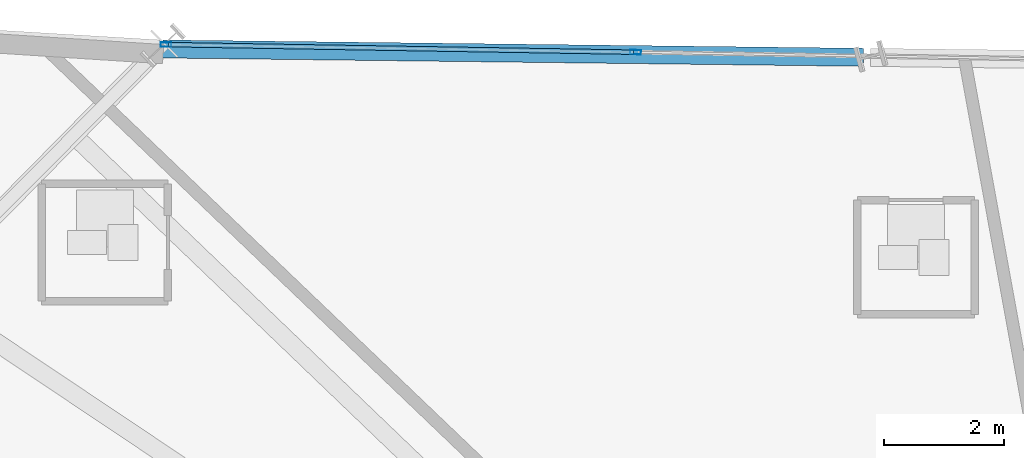
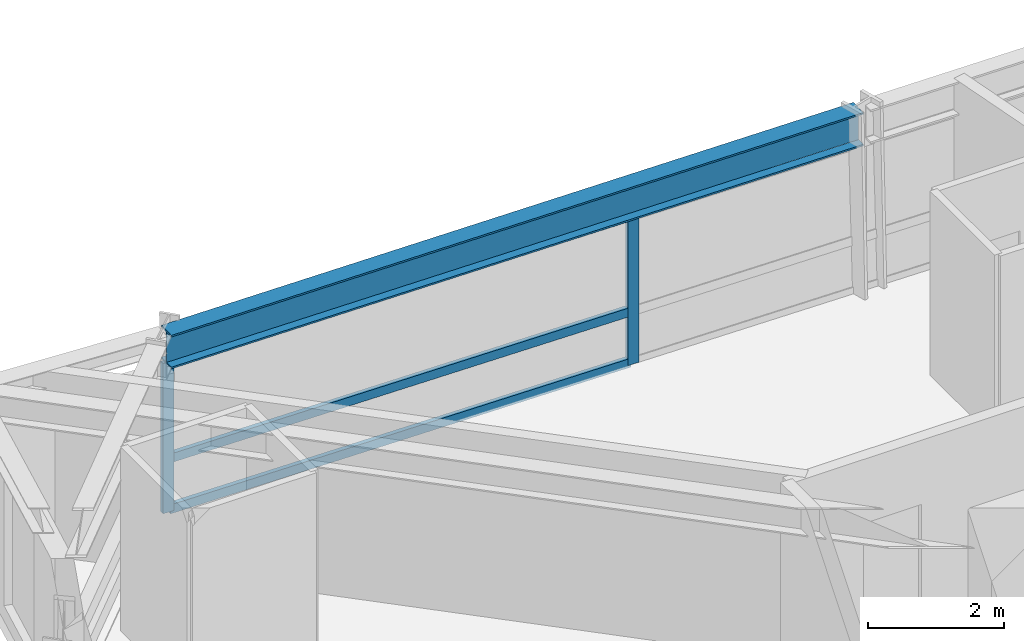
# One storey, part 6 of 22: 5 members, 1 beam, 1 element without a shape of its own.
"""IFC4 building model written with IfcOpenShell, lengths in metres."""

from ifc_helpers import new_model, si_unit, direction, frame, origin, origin_2d, place, context, subcontext, project, spatial, hollow_rectangle, i_section, extrude, source, transform, mapped, material, material_profile, profile_set, type_object, element, aggregate, save


model = new_model("IFC4")

# Units and contexts
model_context = context("Model", 3, precision=1e-05, world=origin(), true_north=direction((0.0, 1.0)))
body_context = subcontext(model_context, "Body", "Model", "MODEL_VIEW")
ifc_project = project(units=[si_unit("LENGTHUNIT", "METRE"), si_unit("AREAUNIT", "SQUARE_METRE"), si_unit("VOLUMEUNIT", "CUBIC_METRE"), si_unit("PLANEANGLEUNIT", "RADIAN"), si_unit("MASSUNIT", "GRAM", prefix="KILO")], contexts=[model_context])

# Site, building, storey
site_placement = place(None, origin())
site = spatial("IfcSite", under=ifc_project, at=site_placement, CompositionType="ELEMENT")
building_placement = place(site_placement, origin())
building = spatial("IfcBuilding", under=site, at=building_placement, Name="Olszyna Solenne Hotel", CompositionType="ELEMENT")
storey_placement = place(building_placement, frame((0.0, 0.0, 87.949951171875)))
storey = spatial("IfcBuildingStorey", under=building, at=storey_placement, Name="L22", CompositionType="ELEMENT", Elevation=87.949951171875)

# Beam
ifc_material_1 = material(Name="Steel S355J2", Category="steel")
ifc_material_profile_1 = material_profile(ifc_material_1, i_section(OverallWidth=0.300048828125, OverallDepth=0.60009765625, WebThickness=0.015380859375, FlangeThickness=0.030029296875, at=origin_2d()), Name="HEB 600", Category="load-bearing")
ifc_profile_set_1 = profile_set([ifc_material_profile_1], Name="Steel S355J2")
beam_type = type_object("IfcBeamType", Name="BM-S2", PredefinedType="BEAM", material=ifc_profile_set_1)
shared_shape_1 = source(origin(), body_context, "Body", "SweptSolid", [
    extrude(i_section(OverallWidth=0.300048828125, OverallDepth=0.60009765625, WebThickness=0.015380859375, FlangeThickness=0.030029296875, at=origin_2d()), origin(), (0.0, 0.0, 1.0), 11.651611328125),
])
beam_placement = place(storey_placement, frame((33.141357421875, 44.09130859375, 3.0), z_axis=(-0.999928925967, 0.011922374563, 0.0), x_axis=(-0.011922374563, -0.999928925967, 0.0)))
element("IfcBeam", 1, at=beam_placement, inside=storey, type_object=beam_type, Name="Perimeter spandrel beam BM-S2 B-L22-0665", PredefinedType="BEAM", context=body_context, shape_type="MappedRepresentation", body=[
    mapped(shared_shape_1, transform((0.0, 0.0, 0.0), x_axis=(1.0, 0.0, 0.0), y_axis=(0.0, 1.0, 0.0), z_axis=(0.0, 0.0, 1.0), scale=1.0)),
])

# Curtain wall, members
ifc_material_2 = material(Name="Anodised bronze aluminium", Category="aluminium")
curtain_wall_type = type_object("IfcCurtainWallType", Name="CW-SYS-3", PredefinedType="NOTDEFINED", material=ifc_material_2)
curtain_wall_placement = place(storey_placement, origin())
curtain_wall = element("IfcCurtainWall", 2, at=curtain_wall_placement, inside=storey, type_object=curtain_wall_type, Name="Unitised curtain wall CW-SYS-3 CW-L22-02", PredefinedType="NOTDEFINED")
ifc_material_profile_2 = material_profile(ifc_material_2, hollow_rectangle(XDim=0.074951171875, YDim=0.179931640625, WallThickness=0.00439453125, at=origin_2d()), Name="MULL 180x75x4.5", Category="load-bearing")
ifc_profile_set_2 = profile_set([ifc_material_profile_2], Name="Anodised bronze aluminium")
member_type_1 = type_object("IfcMemberType", Name="CW-M2", PredefinedType="MULLION", material=ifc_profile_set_2)
shared_shape_2 = source(origin(), body_context, "Body", "SweptSolid", [
    extrude(hollow_rectangle(XDim=0.074951171875, YDim=0.179931640625, WallThickness=0.00439453125, at=origin_2d()), origin(), (0.0, 0.0, 1.0), 2.692138671875),
])
member_1_placement = place(storey_placement, frame((21.545166015625, 44.302490234375, 0.0), z_axis=(0.0, 0.0, 1.0), x_axis=(0.016293434532, 0.999867253185, 0.0)))
member_1 = element("IfcMember", 3, at=member_1_placement, type_object=member_type_1, Name="Curtain-wall mullion CW-M2 CM-L22-02-01", PredefinedType="MULLION", context=body_context, shape_type="MappedRepresentation", body=[
    mapped(shared_shape_2, transform((0.0, 0.0, 0.0), x_axis=(1.0, 0.0, 0.0), y_axis=(0.0, 1.0, 0.0), z_axis=(0.0, 0.0, 1.0), scale=1.0)),
])
member_2_placement = place(storey_placement, frame((29.354248046875, 44.17529296875, 0.0), z_axis=(0.0, 0.0, 1.0), x_axis=(0.016293434532, 0.999867253185, 0.0)))
member_2 = element("IfcMember", 4, at=member_2_placement, type_object=member_type_1, Name="Curtain-wall mullion CW-M2 CM-L22-02-02", PredefinedType="MULLION", context=body_context, shape_type="MappedRepresentation", body=[
    mapped(shared_shape_2, transform((0.0, 0.0, 0.0), x_axis=(1.0, 0.0, 0.0), y_axis=(0.0, 1.0, 0.0), z_axis=(0.0, 0.0, 1.0), scale=1.0)),
])
ifc_material_profile_3 = material_profile(ifc_material_2, hollow_rectangle(XDim=0.074951171875, YDim=0.159912109375, WallThickness=0.00390625, at=origin_2d()), Name="TRAN 160x75x4", Category="load-bearing")
ifc_profile_set_3 = profile_set([ifc_material_profile_3], Name="Anodised bronze aluminium")
member_type_2 = type_object("IfcMemberType", Name="CW-T1", PredefinedType="USERDEFINED", material=ifc_profile_set_3)
shared_shape_3 = source(origin(), body_context, "Body", "SweptSolid", [
    extrude(hollow_rectangle(XDim=0.074951171875, YDim=0.159912109375, WallThickness=0.00390625, at=origin_2d()), origin(), (0.0, 0.0, 1.0), 7.7353515625),
])
member_3_placement = place(storey_placement, frame((21.58251953125, 44.302001953125, 0.03759765625), z_axis=(0.99986737889, -0.016285718671, 0.0), x_axis=(0.016285718671, 0.99986737889, 0.0)))
member_3 = element("IfcMember", 5, at=member_3_placement, type_object=member_type_2, Name="Curtain-wall transom CW-T1 CT-L22-02-01", ObjectType="TRANSOM", PredefinedType="USERDEFINED", context=body_context, shape_type="MappedRepresentation", body=[
    mapped(shared_shape_3, transform((0.0, 0.0, 0.0), x_axis=(1.0, 0.0, 0.0), y_axis=(0.0, 1.0, 0.0), z_axis=(0.0, 0.0, 1.0), scale=1.0)),
])
member_4_placement = place(storey_placement, frame((21.58251953125, 44.302001953125, 0.949951171875), z_axis=(0.99986737889, -0.016285718671, 0.0), x_axis=(0.016285718671, 0.99986737889, 0.0)))
member_4 = element("IfcMember", 6, at=member_4_placement, type_object=member_type_2, Name="Curtain-wall transom CW-T1 CT-L22-02-02", ObjectType="TRANSOM", PredefinedType="USERDEFINED", context=body_context, shape_type="MappedRepresentation", body=[
    mapped(shared_shape_3, transform((0.0, 0.0, 0.0), x_axis=(1.0, 0.0, 0.0), y_axis=(0.0, 1.0, 0.0), z_axis=(0.0, 0.0, 1.0), scale=1.0)),
])
member_5_placement = place(storey_placement, frame((21.58251953125, 44.302001953125, 2.654541015625), z_axis=(0.99986737889, -0.016285718671, 0.0), x_axis=(0.016285718671, 0.99986737889, 0.0)))
member_5 = element("IfcMember", 7, at=member_5_placement, type_object=member_type_2, Name="Curtain-wall transom CW-T1 CT-L22-02-03", ObjectType="TRANSOM", PredefinedType="USERDEFINED", context=body_context, shape_type="MappedRepresentation", body=[
    mapped(shared_shape_3, transform((0.0, 0.0, 0.0), x_axis=(1.0, 0.0, 0.0), y_axis=(0.0, 1.0, 0.0), z_axis=(0.0, 0.0, 1.0), scale=1.0)),
])
aggregate(curtain_wall, [member_1, member_2, member_3, member_4, member_5])

save(model, "model.ifc")
